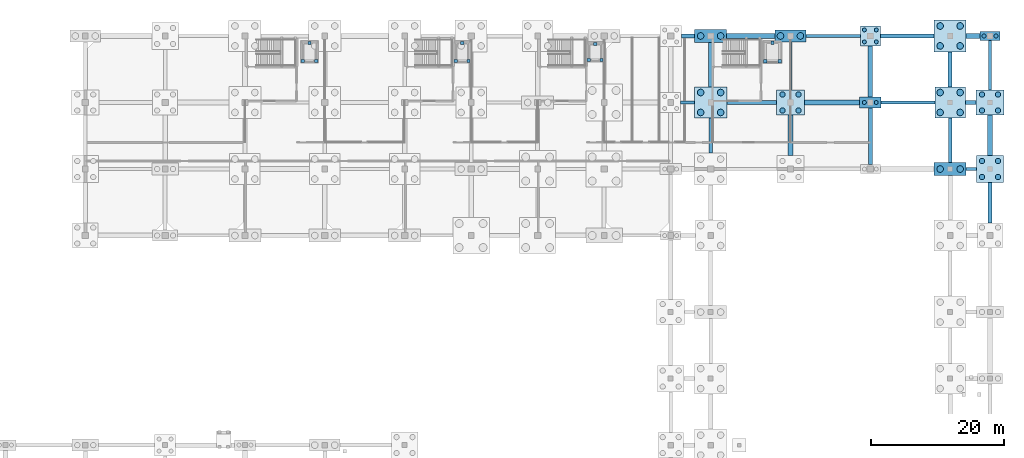
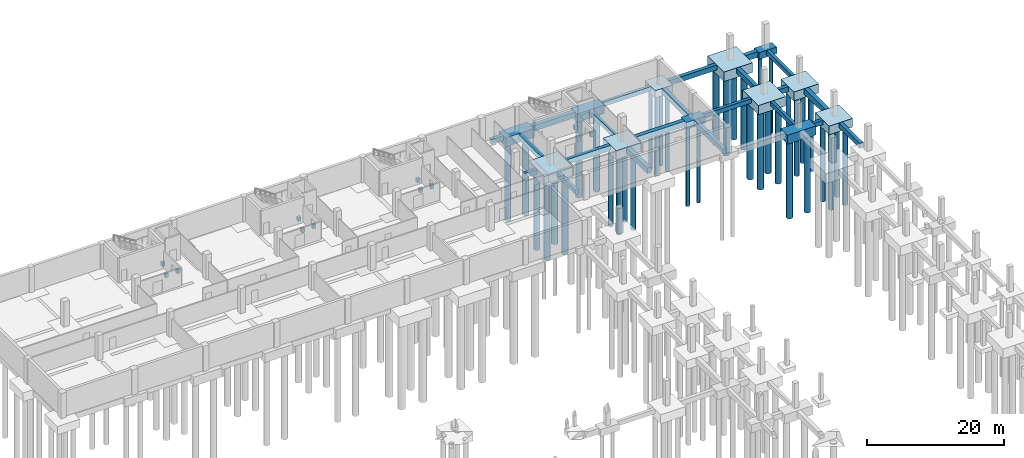
# One storey, part 8 of 19: 46 footings, 38 piles.
"""IFC4 building model written with IfcOpenShell, lengths in metres."""

from ifc_helpers import new_model, si_unit, direction, frame, origin, origin_2d, place, context, subcontext, project, spatial, polyline, rectangle, circle, outline, extrude, material, material_profile, profile_set, type_object, element, save


model = new_model("IFC4")

# Units and contexts
model_context = context("Model", 3, precision=1e-05, world=origin(), true_north=direction((0.0, 1.0)))
body_context = subcontext(model_context, "Body", "Model", "MODEL_VIEW")
ifc_project = project(units=[si_unit("LENGTHUNIT", "METRE"), si_unit("AREAUNIT", "SQUARE_METRE"), si_unit("VOLUMEUNIT", "CUBIC_METRE"), si_unit("PLANEANGLEUNIT", "RADIAN"), si_unit("MASSUNIT", "GRAM", prefix="KILO")], contexts=[model_context])

# Site, building, storey
site_placement = place(None, origin())
site = spatial("IfcSite", under=ifc_project, at=site_placement, CompositionType="ELEMENT")
building_placement = place(site_placement, origin())
building = spatial("IfcBuilding", under=site, at=building_placement, Name="Mersad Railyard Sports Hall", CompositionType="ELEMENT")
storey_placement = place(building_placement, frame((0.0, 0.0, -4.5)))
storey = spatial("IfcBuildingStorey", under=building, at=storey_placement, Name="B1", CompositionType="ELEMENT", Elevation=-4.5)

# Footings
ifc_material = material(Name="Concrete C40/50", Category="concrete")
footing_type_1 = type_object("IfcFootingType", Name="STR-FT-FB01", PredefinedType="FOOTING_BEAM", material=ifc_material)
footing_1_placement = place(storey_placement, frame((0.0, 0.0, -0.800048828125)))
element("IfcFooting", 1, at=footing_1_placement, inside=storey, type_object=footing_type_1, Name="Ground beam FB01-0079", PredefinedType="FOOTING_BEAM", context=body_context, shape_type="SweptSolid", body=[
    extrude(outline(polyline([(175.39990234375, 94.75), (177.0, 94.75), (177.0, 95.25), (175.39990234375, 95.25), (175.39990234375, 94.75)])), origin(), (0.0, 0.0, 1.0), 0.800048828125),
])
footing_2_placement = place(storey_placement, frame((0.0, 0.0, -0.800048828125)))
element("IfcFooting", 2, at=footing_2_placement, inside=storey, type_object=footing_type_1, Name="Ground beam FB01-0088", PredefinedType="FOOTING_BEAM", context=body_context, shape_type="SweptSolid", body=[
    extrude(outline(polyline([(132.5, 104.75), (134.550048828125, 104.75), (134.550048828125, 105.25), (132.5, 105.25), (132.5, 104.75)])), origin(), (0.0, 0.0, 1.0), 0.800048828125),
])
footing_3_placement = place(storey_placement, frame((0.0, 0.0, -0.800048828125)))
element("IfcFooting", 3, at=footing_3_placement, inside=storey, type_object=footing_type_1, Name="Ground beam FB01-0091", PredefinedType="FOOTING_BEAM", context=body_context, shape_type="SweptSolid", body=[
    extrude(outline(polyline([(162.60009765625, 104.75), (170.699951171875, 104.75), (170.699951171875, 105.25), (162.60009765625, 105.25), (162.60009765625, 104.75)])), origin(), (0.0, 0.0, 1.0), 0.800048828125),
])
footing_4_placement = place(storey_placement, frame((0.0, 0.0, -0.800048828125)))
element("IfcFooting", 4, at=footing_4_placement, inside=storey, type_object=footing_type_1, Name="Ground beam FB01-0103", PredefinedType="FOOTING_BEAM", context=body_context, shape_type="SweptSolid", body=[
    extrude(outline(polyline([(151.300048828125, 114.75), (159.5, 114.75), (159.5, 115.25), (151.300048828125, 115.25), (151.300048828125, 114.75)])), origin(), (0.0, 0.0, 1.0), 0.800048828125),
])
footing_5_placement = place(storey_placement, frame((0.0, 0.0, -0.800048828125)))
element("IfcFooting", 5, at=footing_5_placement, inside=storey, type_object=footing_type_1, Name="Ground beam FB01-0169", PredefinedType="FOOTING_BEAM", context=body_context, shape_type="SweptSolid", body=[
    extrude(outline(polyline([(136.75, 97.39990234375), (137.25, 97.39990234375), (137.25, 102.699951171875), (136.75, 102.699951171875), (136.75, 97.39990234375)])), origin(), (0.0, 0.0, 1.0), 0.800048828125),
])
footing_6_placement = place(storey_placement, frame((0.0, 0.0, -0.800048828125)))
element("IfcFooting", 6, at=footing_6_placement, inside=storey, type_object=footing_type_1, Name="Ground beam FB01-0172", PredefinedType="FOOTING_BEAM", context=body_context, shape_type="SweptSolid", body=[
    extrude(outline(polyline([(148.75, 106.89990234375), (149.25, 106.89990234375), (149.25, 114.10009765625), (148.75, 114.10009765625), (148.75, 106.89990234375)])), origin(), (0.0, 0.0, 1.0), 0.800048828125),
])
footing_7_placement = place(storey_placement, frame((0.0, 0.0, -0.800048828125)))
element("IfcFooting", 7, at=footing_7_placement, inside=storey, type_object=footing_type_1, Name="Ground beam FB01-0184", PredefinedType="FOOTING_BEAM", context=body_context, shape_type="SweptSolid", body=[
    extrude(outline(polyline([(172.75, 96.0), (173.25, 96.0), (173.25, 102.699951171875), (172.75, 102.699951171875), (172.75, 96.0)])), origin(), (0.0, 0.0, 1.0), 0.800048828125),
])
footing_8_placement = place(storey_placement, frame((0.0, 0.0, -0.800048828125)))
element("IfcFooting", 8, at=footing_8_placement, inside=storey, type_object=footing_type_1, Name="Ground beam FB01-0196", PredefinedType="FOOTING_BEAM", context=body_context, shape_type="SweptSolid", body=[
    extrude(outline(polyline([(178.75, 106.89990234375), (179.25, 106.89990234375), (179.25, 114.300048828125), (178.75, 114.300048828125), (178.75, 106.89990234375)])), origin(), (0.0, 0.0, 1.0), 0.800048828125),
])
footing_type_2 = type_object("IfcFootingType", Name="STR-FT-FB02", PredefinedType="FOOTING_BEAM", material=ifc_material)
footing_9_placement = place(storey_placement, frame((0.0, 0.0, -0.89990234375)))
element("IfcFooting", 9, at=footing_9_placement, inside=storey, type_object=footing_type_2, Name="Ground beam FB02-0089", PredefinedType="FOOTING_BEAM", context=body_context, shape_type="SweptSolid", body=[
    extrude(outline(polyline([(139.449951171875, 104.699951171875), (146.89990234375, 104.699951171875), (146.89990234375, 105.300048828125), (139.449951171875, 105.300048828125), (139.449951171875, 104.699951171875)])), origin(), (0.0, 0.0, 1.0), 0.89990234375),
])
footing_10_placement = place(storey_placement, frame((0.0, 0.0, -0.89990234375)))
element("IfcFooting", 10, at=footing_10_placement, inside=storey, type_object=footing_type_2, Name="Ground beam FB02-0092", PredefinedType="FOOTING_BEAM", context=body_context, shape_type="SweptSolid", body=[
    extrude(outline(polyline([(175.300048828125, 104.699951171875), (176.89990234375, 104.699951171875), (176.89990234375, 105.300048828125), (175.300048828125, 105.300048828125), (175.300048828125, 104.699951171875)])), origin(), (0.0, 0.0, 1.0), 0.89990234375),
])
footing_11_placement = place(storey_placement, frame((0.0, 0.0, -0.89990234375)))
element("IfcFooting", 11, at=footing_11_placement, inside=storey, type_object=footing_type_2, Name="Ground beam FB02-0101", PredefinedType="FOOTING_BEAM", context=body_context, shape_type="SweptSolid", body=[
    extrude(outline(polyline([(132.60009765625, 114.699951171875), (134.60009765625, 114.699951171875), (134.60009765625, 115.300048828125), (132.60009765625, 115.300048828125), (132.60009765625, 114.699951171875)])), origin(), (0.0, 0.0, 1.0), 0.89990234375),
])
footing_12_placement = place(storey_placement, frame((0.0, 0.0, -0.89990234375)))
element("IfcFooting", 12, at=footing_12_placement, inside=storey, type_object=footing_type_2, Name="Ground beam FB02-0104", PredefinedType="FOOTING_BEAM", context=body_context, shape_type="SweptSolid", body=[
    extrude(outline(polyline([(162.5, 114.699951171875), (170.60009765625, 114.699951171875), (170.60009765625, 115.300048828125), (162.5, 115.300048828125), (162.5, 114.699951171875)])), origin(), (0.0, 0.0, 1.0), 0.89990234375),
])
footing_13_placement = place(storey_placement, frame((0.0, 0.0, -0.89990234375)))
element("IfcFooting", 13, at=footing_13_placement, inside=storey, type_object=footing_type_2, Name="Ground beam FB02-0170", PredefinedType="FOOTING_BEAM", context=body_context, shape_type="SweptSolid", body=[
    extrude(outline(polyline([(136.699951171875, 107.300048828125), (137.300048828125, 107.300048828125), (137.300048828125, 114.0), (136.699951171875, 114.0), (136.699951171875, 107.300048828125)])), origin(), (0.0, 0.0, 1.0), 0.89990234375),
])
footing_14_placement = place(storey_placement, frame((0.0, 0.0, -0.89990234375)))
element("IfcFooting", 14, at=footing_14_placement, inside=storey, type_object=footing_type_2, Name="Ground beam FB02-0173", PredefinedType="FOOTING_BEAM", context=body_context, shape_type="SweptSolid", body=[
    extrude(outline(polyline([(160.699951171875, 95.699951171875), (161.300048828125, 95.699951171875), (161.300048828125, 104.199951171875), (160.699951171875, 104.199951171875), (160.699951171875, 95.699951171875)])), origin(), (0.0, 0.0, 1.0), 0.89990234375),
])
footing_15_placement = place(storey_placement, frame((0.0, 0.0, -0.89990234375)))
element("IfcFooting", 15, at=footing_15_placement, inside=storey, type_object=footing_type_2, Name="Ground beam FB02-0185", PredefinedType="FOOTING_BEAM", context=body_context, shape_type="SweptSolid", body=[
    extrude(outline(polyline([(172.699951171875, 107.300048828125), (173.300048828125, 107.300048828125), (173.300048828125, 112.60009765625), (172.699951171875, 112.60009765625), (172.699951171875, 107.300048828125)])), origin(), (0.0, 0.0, 1.0), 0.89990234375),
])
footing_16_placement = place(storey_placement, frame((0.0, 0.0, -0.89990234375)))
element("IfcFooting", 16, at=footing_16_placement, inside=storey, type_object=footing_type_2, Name="Ground beam FB02-0194", PredefinedType="FOOTING_BEAM", context=body_context, shape_type="SweptSolid", body=[
    extrude(outline(polyline([(178.699951171875, 86.89990234375), (179.300048828125, 86.89990234375), (179.300048828125, 93.0), (178.699951171875, 93.0), (178.699951171875, 86.89990234375)])), origin(), (0.0, 0.0, 1.0), 0.89990234375),
])
footing_type_3 = type_object("IfcFootingType", Name="STR-FT-FB03", PredefinedType="FOOTING_BEAM", material=ifc_material)
footing_17_placement = place(storey_placement, frame((0.0, 0.0, -1.0)))
element("IfcFooting", 17, at=footing_17_placement, inside=storey, type_object=footing_type_3, Name="Ground beam FB03-0090", PredefinedType="FOOTING_BEAM", context=body_context, shape_type="SweptSolid", body=[
    extrude(outline(polyline([(151.10009765625, 104.64990234375), (159.39990234375, 104.64990234375), (159.39990234375, 105.35009765625), (151.10009765625, 105.35009765625), (151.10009765625, 104.64990234375)])), origin(), (0.0, 0.0, 1.0), 1.0),
])
footing_18_placement = place(storey_placement, frame((0.0, 0.0, -1.0)))
element("IfcFooting", 18, at=footing_18_placement, inside=storey, type_object=footing_type_3, Name="Ground beam FB03-0102", PredefinedType="FOOTING_BEAM", context=body_context, shape_type="SweptSolid", body=[
    extrude(outline(polyline([(139.39990234375, 114.64990234375), (146.699951171875, 114.64990234375), (146.699951171875, 115.35009765625), (139.39990234375, 115.35009765625), (139.39990234375, 114.64990234375)])), origin(), (0.0, 0.0, 1.0), 1.0),
])
footing_19_placement = place(storey_placement, frame((0.0, 0.0, -1.0)))
element("IfcFooting", 19, at=footing_19_placement, inside=storey, type_object=footing_type_3, Name="Ground beam FB03-0105", PredefinedType="FOOTING_BEAM", context=body_context, shape_type="SweptSolid", body=[
    extrude(outline(polyline([(175.39990234375, 114.64990234375), (177.5, 114.64990234375), (177.5, 115.35009765625), (175.39990234375, 115.35009765625), (175.39990234375, 114.64990234375)])), origin(), (0.0, 0.0, 1.0), 1.0),
])
footing_20_placement = place(storey_placement, frame((0.0, 0.0, -1.0)))
element("IfcFooting", 20, at=footing_20_placement, inside=storey, type_object=footing_type_3, Name="Ground beam FB03-0171", PredefinedType="FOOTING_BEAM", context=body_context, shape_type="SweptSolid", body=[
    extrude(outline(polyline([(148.64990234375, 97.0), (149.35009765625, 97.0), (149.35009765625, 103.10009765625), (148.64990234375, 103.10009765625), (148.64990234375, 97.0)])), origin(), (0.0, 0.0, 1.0), 1.0),
])
footing_21_placement = place(storey_placement, frame((0.0, 0.0, -1.0)))
element("IfcFooting", 21, at=footing_21_placement, inside=storey, type_object=footing_type_3, Name="Ground beam FB03-0174", PredefinedType="FOOTING_BEAM", context=body_context, shape_type="SweptSolid", body=[
    extrude(outline(polyline([(160.64990234375, 105.800048828125), (161.35009765625, 105.800048828125), (161.35009765625, 113.5), (160.64990234375, 113.5), (160.64990234375, 105.800048828125)])), origin(), (0.0, 0.0, 1.0), 1.0),
])
footing_22_placement = place(storey_placement, frame((0.0, 0.0, -1.0)))
element("IfcFooting", 22, at=footing_22_placement, inside=storey, type_object=footing_type_3, Name="Ground beam FB03-0195", PredefinedType="FOOTING_BEAM", context=body_context, shape_type="SweptSolid", body=[
    extrude(outline(polyline([(178.64990234375, 97.0), (179.35009765625, 97.0), (179.35009765625, 103.10009765625), (178.64990234375, 103.10009765625), (178.64990234375, 97.0)])), origin(), (0.0, 0.0, 1.0), 1.0),
])
footing_type_4 = type_object("IfcFootingType", Name="STR-FT-PC01", PredefinedType="PILE_CAP", material=ifc_material)
footing_23_placement = place(storey_placement, frame((179.0, 115.0, -1.2001953125), z_axis=(0.0, 0.0, 1.0), x_axis=(1.0, 0.0, 0.0)))
element("IfcFooting", 23, at=footing_23_placement, inside=storey, type_object=footing_type_4, Name="Pile cap PC01 at (179.0,115.0)", PredefinedType="PILE_CAP", context=body_context, shape_type="SweptSolid", body=[
    extrude(rectangle(XDim=3.0, YDim=1.39990234375, at=origin_2d()), origin(), (0.0, 0.0, 1.0), 1.199951171875),
])
footing_type_5 = type_object("IfcFootingType", Name="STR-FT-PC02", PredefinedType="PILE_CAP", material=ifc_material)
footing_24_placement = place(storey_placement, frame((161.0, 105.0, -1.25), z_axis=(0.0, 0.0, 1.0), x_axis=(1.0, 0.0, 0.0)))
element("IfcFooting", 24, at=footing_24_placement, inside=storey, type_object=footing_type_5, Name="Pile cap PC02 at (161.0,105.0)", PredefinedType="PILE_CAP", context=body_context, shape_type="SweptSolid", body=[
    extrude(rectangle(XDim=3.199951171875, YDim=1.60009765625, at=origin_2d()), origin(), (0.0, 0.0, 1.0), 1.25),
])
footing_type_6 = type_object("IfcFootingType", Name="STR-FT-PC03", PredefinedType="PILE_CAP", material=ifc_material)
footing_25_placement = place(storey_placement, frame((161.0, 115.0, -1.2998046875), z_axis=(0.0, 0.0, 1.0), x_axis=(1.0, 0.0, 0.0)))
element("IfcFooting", 25, at=footing_25_placement, inside=storey, type_object=footing_type_6, Name="Pile cap PC03 at (161.0,115.0)", PredefinedType="PILE_CAP", context=body_context, shape_type="SweptSolid", body=[
    extrude(rectangle(XDim=3.0, YDim=3.0, at=origin_2d()), origin(), (0.0, 0.0, 1.0), 1.300048828125),
])
footing_type_7 = type_object("IfcFootingType", Name="STR-FT-PC08", PredefinedType="PILE_CAP", material=ifc_material)
footing_26_placement = place(storey_placement, frame((179.0, 95.0, -1.5498046875), z_axis=(0.0, 0.0, 1.0), x_axis=(1.0, 0.0, 0.0)))
element("IfcFooting", 26, at=footing_26_placement, inside=storey, type_object=footing_type_7, Name="Pile cap PC08 at (179.0,95.0)", PredefinedType="PILE_CAP", context=body_context, shape_type="SweptSolid", body=[
    extrude(rectangle(XDim=4.0, YDim=4.0, at=origin_2d()), origin(), (0.0, 0.0, 1.0), 1.550048828125),
])
footing_type_8 = type_object("IfcFootingType", Name="STR-FT-PC09", PredefinedType="PILE_CAP", material=ifc_material)
for number, where, z_axis, x_axis, name in (
    (27, (149.0, 105.0, -1.60009765625), (0.0, 0.0, 1.0), (1.0, 0.0, 0.0), "Pile cap PC09 at (149.0,105.0)"),
    (28, (179.0, 105.0, -1.60009765625), (0.0, 0.0, 1.0), (1.0, 0.0, 0.0), "Pile cap PC09 at (179.0,105.0)"),
):
    element("IfcFooting", number, at=place(storey_placement, frame(where, z_axis=z_axis, x_axis=x_axis)), inside=storey, type_object=footing_type_8, Name=name, PredefinedType="PILE_CAP", context=body_context, shape_type="SweptSolid", body=[
        extrude(rectangle(XDim=4.199951171875, YDim=3.800048828125, at=origin_2d()), origin(), (0.0, 0.0, 1.0), 1.60009765625),
    ])
footing_type_9 = type_object("IfcFootingType", Name="STR-FT-PC10", PredefinedType="PILE_CAP", material=ifc_material)
footing_27_placement = place(storey_placement, frame((149.0, 115.0, -1.5498046875), z_axis=(0.0, 0.0, 1.0), x_axis=(1.0, 0.0, 0.0)))
element("IfcFooting", 29, at=footing_27_placement, inside=storey, type_object=footing_type_9, Name="Pile cap PC10 at (149.0,115.0)", PredefinedType="PILE_CAP", context=body_context, shape_type="SweptSolid", body=[
    extrude(rectangle(XDim=4.60009765625, YDim=1.800048828125, at=origin_2d()), origin(), (0.0, 0.0, 1.0), 1.550048828125),
])
footing_type_10 = type_object("IfcFootingType", Name="STR-FT-PC11", PredefinedType="PILE_CAP", material=ifc_material)
for number, where, z_axis, x_axis, name in (
    (30, (137.0, 115.0, -1.60009765625), (0.0, 0.0, 1.0), (1.0, 0.0, 0.0), "Pile cap PC11 at (137.0,115.0)"),
    (31, (173.0, 95.0, -1.60009765625), (0.0, 0.0, 1.0), (1.0, 0.0, 0.0), "Pile cap PC11 at (173.0,95.0)"),
):
    element("IfcFooting", number, at=place(storey_placement, frame(where, z_axis=z_axis, x_axis=x_axis)), inside=storey, type_object=footing_type_10, Name=name, PredefinedType="PILE_CAP", context=body_context, shape_type="SweptSolid", body=[
        extrude(rectangle(XDim=4.800048828125, YDim=2.0, at=origin_2d()), origin(), (0.0, 0.0, 1.0), 1.60009765625),
    ])
footing_type_11 = type_object("IfcFootingType", Name="STR-FT-PC12", PredefinedType="PILE_CAP", material=ifc_material)
footing_28_placement = place(storey_placement, frame((173.0, 105.0, -1.64990234375), z_axis=(0.0, 0.0, 1.0), x_axis=(1.0, 0.0, 0.0)))
element("IfcFooting", 32, at=footing_28_placement, inside=storey, type_object=footing_type_11, Name="Pile cap PC12 at (173.0,105.0)", PredefinedType="PILE_CAP", context=body_context, shape_type="SweptSolid", body=[
    extrude(rectangle(XDim=4.60009765625, YDim=4.60009765625, at=origin_2d()), origin(), (0.0, 0.0, 1.0), 1.64990234375),
])
footing_type_12 = type_object("IfcFootingType", Name="STR-FT-PC13", PredefinedType="PILE_CAP", material=ifc_material)
footing_29_placement = place(storey_placement, frame((173.0, 115.0, -1.7001953125), z_axis=(0.0, 0.0, 1.0), x_axis=(1.0, 0.0, 0.0)))
element("IfcFooting", 33, at=footing_29_placement, inside=storey, type_object=footing_type_12, Name="Pile cap PC13 at (173.0,115.0)", PredefinedType="PILE_CAP", context=body_context, shape_type="SweptSolid", body=[
    extrude(rectangle(XDim=4.800048828125, YDim=4.800048828125, at=origin_2d()), origin(), (0.0, 0.0, 1.0), 1.699951171875),
])
footing_type_13 = type_object("IfcFootingType", Name="STR-FT-PC14", PredefinedType="PILE_CAP", material=ifc_material)
footing_30_placement = place(storey_placement, frame((137.0, 105.0, -1.75), z_axis=(0.0, 0.0, 1.0), x_axis=(1.0, 0.0, 0.0)))
element("IfcFooting", 34, at=footing_30_placement, inside=storey, type_object=footing_type_13, Name="Pile cap PC14 at (137.0,105.0)", PredefinedType="PILE_CAP", context=body_context, shape_type="SweptSolid", body=[
    extrude(rectangle(XDim=4.89990234375, YDim=4.60009765625, at=origin_2d()), origin(), (0.0, 0.0, 1.0), 1.75),
])
footing_type_14 = type_object("IfcFootingType", Name="STR-FT-PF01", PredefinedType="PAD_FOOTING", material=ifc_material)
for number, where, z_axis, x_axis, name in (
    (35, (75.699951171875, 111.25, -2.4501953125), (0.0, 0.0, 1.0), (1.0, 0.0, 0.0), "Lift FFL-01 deep pit pad 1"),
    (36, (77.699951171875, 111.25, -2.4501953125), (0.0, 0.0, 1.0), (1.0, 0.0, 0.0), "Lift FFL-01 deep pit pad 2"),
    (37, (76.699951171875, 113.949951171875, -2.4501953125), (0.0, 0.0, 1.0), (1.0, 0.0, 0.0), "Lift FFL-01 deep pit pad 3"),
    (38, (98.699951171875, 111.25, -2.4501953125), (0.0, 0.0, 1.0), (1.0, 0.0, 0.0), "Lift FFL-02 deep pit pad 1"),
    (39, (100.60009765625, 111.25, -2.4501953125), (0.0, 0.0, 1.0), (1.0, 0.0, 0.0), "Lift FFL-02 deep pit pad 2"),
    (40, (99.64990234375, 113.949951171875, -2.4501953125), (0.0, 0.0, 1.0), (1.0, 0.0, 0.0), "Lift FFL-02 deep pit pad 3"),
    (41, (118.699951171875, 111.39990234375, -2.4501953125), (0.0, 0.0, 1.0), (1.0, 0.0, 0.0), "Lift PL-03 deep pit pad 1"),
    (42, (120.60009765625, 111.39990234375, -2.4501953125), (0.0, 0.0, 1.0), (1.0, 0.0, 0.0), "Lift PL-03 deep pit pad 2"),
    (43, (119.64990234375, 113.800048828125, -2.4501953125), (0.0, 0.0, 1.0), (1.0, 0.0, 0.0), "Lift PL-03 deep pit pad 3"),
    (44, (145.199951171875, 111.199951171875, -2.4501953125), (0.0, 0.0, 1.0), (1.0, 0.0, 0.0), "Lift PL-04 deep pit pad 1"),
    (45, (147.39990234375, 111.199951171875, -2.4501953125), (0.0, 0.0, 1.0), (1.0, 0.0, 0.0), "Lift PL-04 deep pit pad 2"),
    (46, (146.300048828125, 114.0, -2.4501953125), (0.0, 0.0, 1.0), (1.0, 0.0, 0.0), "Lift PL-04 deep pit pad 3"),
):
    element("IfcFooting", number, at=place(storey_placement, frame(where, z_axis=z_axis, x_axis=x_axis)), inside=storey, type_object=footing_type_14, Name=name, PredefinedType="PAD_FOOTING", context=body_context, shape_type="SweptSolid", body=[
        extrude(rectangle(XDim=0.5, YDim=0.5, at=origin_2d()), origin(), (0.0, 0.0, 1.0), 0.699951171875),
    ])

# Piles
ifc_material_profile_1 = material_profile(ifc_material, circle(Radius=0.5, at=origin_2d()), Name="BORED PILE D1000")
ifc_profile_set_1 = profile_set([ifc_material_profile_1], Name="Concrete C40/50")
pile_type_1 = type_object("IfcPileType", Name="STR-PL-P1000", PredefinedType="BORED", material=ifc_profile_set_1)
for number, where, z_axis, x_axis, name in (
    (47, (135.5, 103.5, -1.60009765625), (0.0, 0.0, -1.0), (1.0, 0.0, 0.0), "Bored pile PL03-0301"),
    (48, (138.5, 103.5, -1.60009765625), (0.0, 0.0, -1.0), (1.0, 0.0, 0.0), "Bored pile PL03-0302"),
    (49, (135.5, 106.5, -1.60009765625), (0.0, 0.0, -1.0), (1.0, 0.0, 0.0), "Bored pile PL03-0303"),
    (50, (138.5, 106.5, -1.60009765625), (0.0, 0.0, -1.0), (1.0, 0.0, 0.0), "Bored pile PL03-0304"),
):
    element("IfcPile", number, at=place(storey_placement, frame(where, z_axis=z_axis, x_axis=x_axis)), inside=storey, type_object=pile_type_1, Name=name, PredefinedType="BORED", context=body_context, shape_type="SweptSolid", body=[
        extrude(circle(Radius=0.5, at=origin_2d()), origin(), (0.0, 0.0, 1.0), 13.89990234375),
    ])
for number, where, z_axis, x_axis, name in (
    (51, (135.5, 115.0, -1.449951171875), (0.0, 0.0, -1.0), (1.0, 0.0, 0.0), "Bored pile PL03-0305"),
    (52, (138.5, 115.0, -1.449951171875), (0.0, 0.0, -1.0), (1.0, 0.0, 0.0), "Bored pile PL03-0306"),
):
    element("IfcPile", number, at=place(storey_placement, frame(where, z_axis=z_axis, x_axis=x_axis)), inside=storey, type_object=pile_type_1, Name=name, PredefinedType="BORED", context=body_context, shape_type="SweptSolid", body=[
        extrude(circle(Radius=0.5, at=origin_2d()), origin(), (0.0, 0.0, 1.0), 14.050048828125),
    ])
for number, where, z_axis, x_axis, name in (
    (53, (147.5, 115.0, -1.39990234375), (0.0, 0.0, -1.0), (1.0, 0.0, 0.0), "Bored pile PL03-0315"),
    (54, (150.5, 115.0, -1.39990234375), (0.0, 0.0, -1.0), (1.0, 0.0, 0.0), "Bored pile PL03-0316"),
):
    element("IfcPile", number, at=place(storey_placement, frame(where, z_axis=z_axis, x_axis=x_axis)), inside=storey, type_object=pile_type_1, Name=name, PredefinedType="BORED", context=body_context, shape_type="SweptSolid", body=[
        extrude(circle(Radius=0.5, at=origin_2d()), origin(), (0.0, 0.0, 1.0), 14.10009765625),
    ])
for number, where, z_axis, x_axis, name in (
    (55, (171.5, 95.0, -1.449951171875), (0.0, 0.0, -1.0), (1.0, 0.0, 0.0), "Bored pile PL03-0357"),
    (56, (174.5, 95.0, -1.449951171875), (0.0, 0.0, -1.0), (1.0, 0.0, 0.0), "Bored pile PL03-0358"),
):
    element("IfcPile", number, at=place(storey_placement, frame(where, z_axis=z_axis, x_axis=x_axis)), inside=storey, type_object=pile_type_1, Name=name, PredefinedType="BORED", context=body_context, shape_type="SweptSolid", body=[
        extrude(circle(Radius=0.5, at=origin_2d()), origin(), (0.0, 0.0, 1.0), 14.050048828125),
    ])
for number, where, z_axis, x_axis, name in (
    (57, (171.5, 103.5, -1.5), (0.0, 0.0, -1.0), (1.0, 0.0, 0.0), "Bored pile PL03-0359"),
    (58, (174.5, 103.5, -1.5), (0.0, 0.0, -1.0), (1.0, 0.0, 0.0), "Bored pile PL03-0360"),
    (59, (171.5, 106.5, -1.5), (0.0, 0.0, -1.0), (1.0, 0.0, 0.0), "Bored pile PL03-0361"),
    (60, (174.5, 106.5, -1.5), (0.0, 0.0, -1.0), (1.0, 0.0, 0.0), "Bored pile PL03-0362"),
):
    element("IfcPile", number, at=place(storey_placement, frame(where, z_axis=z_axis, x_axis=x_axis)), inside=storey, type_object=pile_type_1, Name=name, PredefinedType="BORED", context=body_context, shape_type="SweptSolid", body=[
        extrude(circle(Radius=0.5, at=origin_2d()), origin(), (0.0, 0.0, 1.0), 14.0),
    ])
for number, where, z_axis, x_axis, name in (
    (61, (171.5, 113.5, -1.550048828125), (0.0, 0.0, -1.0), (1.0, 0.0, 0.0), "Bored pile PL03-0363"),
    (62, (174.5, 113.5, -1.550048828125), (0.0, 0.0, -1.0), (1.0, 0.0, 0.0), "Bored pile PL03-0364"),
    (63, (171.5, 116.5, -1.550048828125), (0.0, 0.0, -1.0), (1.0, 0.0, 0.0), "Bored pile PL03-0365"),
    (64, (174.5, 116.5, -1.550048828125), (0.0, 0.0, -1.0), (1.0, 0.0, 0.0), "Bored pile PL03-0366"),
):
    element("IfcPile", number, at=place(storey_placement, frame(where, z_axis=z_axis, x_axis=x_axis)), inside=storey, type_object=pile_type_1, Name=name, PredefinedType="BORED", context=body_context, shape_type="SweptSolid", body=[
        extrude(circle(Radius=0.5, at=origin_2d()), origin(), (0.0, 0.0, 1.0), 13.949951171875),
    ])
ifc_material_profile_2 = material_profile(ifc_material, circle(Radius=0.300048828125, at=origin_2d()), Name="BORED PILE D600")
ifc_profile_set_2 = profile_set([ifc_material_profile_2], Name="Concrete C40/50")
pile_type_2 = type_object("IfcPileType", Name="STR-PL-P600", PredefinedType="BORED", material=ifc_profile_set_2)
for number, where, z_axis, x_axis, name in (
    (65, (160.10009765625, 105.0, -1.10009765625), (0.0, 0.0, -1.0), (1.0, 0.0, 0.0), "Bored pile PL01-0319"),
    (66, (161.89990234375, 105.0, -1.10009765625), (0.0, 0.0, -1.0), (1.0, 0.0, 0.0), "Bored pile PL01-0320"),
):
    element("IfcPile", number, at=place(storey_placement, frame(where, z_axis=z_axis, x_axis=x_axis)), inside=storey, type_object=pile_type_2, Name=name, PredefinedType="BORED", context=body_context, shape_type="SweptSolid", body=[
        extrude(circle(Radius=0.300048828125, at=origin_2d()), origin(), (0.0, 0.0, 1.0), 14.39990234375),
    ])
for number, where, z_axis, x_axis, name in (
    (67, (160.10009765625, 114.10009765625, -1.14990234375), (0.0, 0.0, -1.0), (1.0, 0.0, 0.0), "Bored pile PL01-0321"),
    (68, (161.89990234375, 114.10009765625, -1.14990234375), (0.0, 0.0, -1.0), (1.0, 0.0, 0.0), "Bored pile PL01-0322"),
    (69, (160.10009765625, 115.89990234375, -1.14990234375), (0.0, 0.0, -1.0), (1.0, 0.0, 0.0), "Bored pile PL01-0323"),
    (70, (161.89990234375, 115.89990234375, -1.14990234375), (0.0, 0.0, -1.0), (1.0, 0.0, 0.0), "Bored pile PL01-0324"),
):
    element("IfcPile", number, at=place(storey_placement, frame(where, z_axis=z_axis, x_axis=x_axis)), inside=storey, type_object=pile_type_2, Name=name, PredefinedType="BORED", context=body_context, shape_type="SweptSolid", body=[
        extrude(circle(Radius=0.300048828125, at=origin_2d()), origin(), (0.0, 0.0, 1.0), 14.35009765625),
    ])
for number, where, z_axis, x_axis, name in (
    (71, (178.10009765625, 115.0, -1.050048828125), (0.0, 0.0, -1.0), (1.0, 0.0, 0.0), "Bored pile PL01-0403"),
    (72, (179.89990234375, 115.0, -1.050048828125), (0.0, 0.0, -1.0), (1.0, 0.0, 0.0), "Bored pile PL01-0404"),
):
    element("IfcPile", number, at=place(storey_placement, frame(where, z_axis=z_axis, x_axis=x_axis)), inside=storey, type_object=pile_type_2, Name=name, PredefinedType="BORED", context=body_context, shape_type="SweptSolid", body=[
        extrude(circle(Radius=0.300048828125, at=origin_2d()), origin(), (0.0, 0.0, 1.0), 14.449951171875),
    ])
ifc_material_profile_3 = material_profile(ifc_material, circle(Radius=0.39990234375, at=origin_2d()), Name="BORED PILE D800")
ifc_profile_set_3 = profile_set([ifc_material_profile_3], Name="Concrete C40/50")
pile_type_3 = type_object("IfcPileType", Name="STR-PL-P800", PredefinedType="BORED", material=ifc_profile_set_3)
for number, where, z_axis, x_axis, name in (
    (73, (147.800048828125, 103.800048828125, -1.449951171875), (0.0, 0.0, -1.0), (1.0, 0.0, 0.0), "Bored pile PL02-0311"),
    (74, (150.199951171875, 103.800048828125, -1.449951171875), (0.0, 0.0, -1.0), (1.0, 0.0, 0.0), "Bored pile PL02-0312"),
    (75, (147.800048828125, 106.199951171875, -1.449951171875), (0.0, 0.0, -1.0), (1.0, 0.0, 0.0), "Bored pile PL02-0313"),
    (76, (150.199951171875, 106.199951171875, -1.449951171875), (0.0, 0.0, -1.0), (1.0, 0.0, 0.0), "Bored pile PL02-0314"),
):
    element("IfcPile", number, at=place(storey_placement, frame(where, z_axis=z_axis, x_axis=x_axis)), inside=storey, type_object=pile_type_3, Name=name, PredefinedType="BORED", context=body_context, shape_type="SweptSolid", body=[
        extrude(circle(Radius=0.39990234375, at=origin_2d()), origin(), (0.0, 0.0, 1.0), 14.050048828125),
    ])
for number, where, z_axis, x_axis, name in (
    (77, (177.800048828125, 93.800048828125, -1.39990234375), (0.0, 0.0, -1.0), (1.0, 0.0, 0.0), "Bored pile PL02-0395"),
    (78, (180.199951171875, 93.800048828125, -1.39990234375), (0.0, 0.0, -1.0), (1.0, 0.0, 0.0), "Bored pile PL02-0396"),
    (79, (177.800048828125, 96.199951171875, -1.39990234375), (0.0, 0.0, -1.0), (1.0, 0.0, 0.0), "Bored pile PL02-0397"),
    (80, (180.199951171875, 96.199951171875, -1.39990234375), (0.0, 0.0, -1.0), (1.0, 0.0, 0.0), "Bored pile PL02-0398"),
):
    element("IfcPile", number, at=place(storey_placement, frame(where, z_axis=z_axis, x_axis=x_axis)), inside=storey, type_object=pile_type_3, Name=name, PredefinedType="BORED", context=body_context, shape_type="SweptSolid", body=[
        extrude(circle(Radius=0.39990234375, at=origin_2d()), origin(), (0.0, 0.0, 1.0), 14.10009765625),
    ])
for number, where, z_axis, x_axis, name in (
    (81, (177.800048828125, 103.800048828125, -1.449951171875), (0.0, 0.0, -1.0), (1.0, 0.0, 0.0), "Bored pile PL02-0399"),
    (82, (180.199951171875, 103.800048828125, -1.449951171875), (0.0, 0.0, -1.0), (1.0, 0.0, 0.0), "Bored pile PL02-0400"),
    (83, (177.800048828125, 106.199951171875, -1.449951171875), (0.0, 0.0, -1.0), (1.0, 0.0, 0.0), "Bored pile PL02-0401"),
    (84, (180.199951171875, 106.199951171875, -1.449951171875), (0.0, 0.0, -1.0), (1.0, 0.0, 0.0), "Bored pile PL02-0402"),
):
    element("IfcPile", number, at=place(storey_placement, frame(where, z_axis=z_axis, x_axis=x_axis)), inside=storey, type_object=pile_type_3, Name=name, PredefinedType="BORED", context=body_context, shape_type="SweptSolid", body=[
        extrude(circle(Radius=0.39990234375, at=origin_2d()), origin(), (0.0, 0.0, 1.0), 14.050048828125),
    ])

save(model, "model.ifc")
